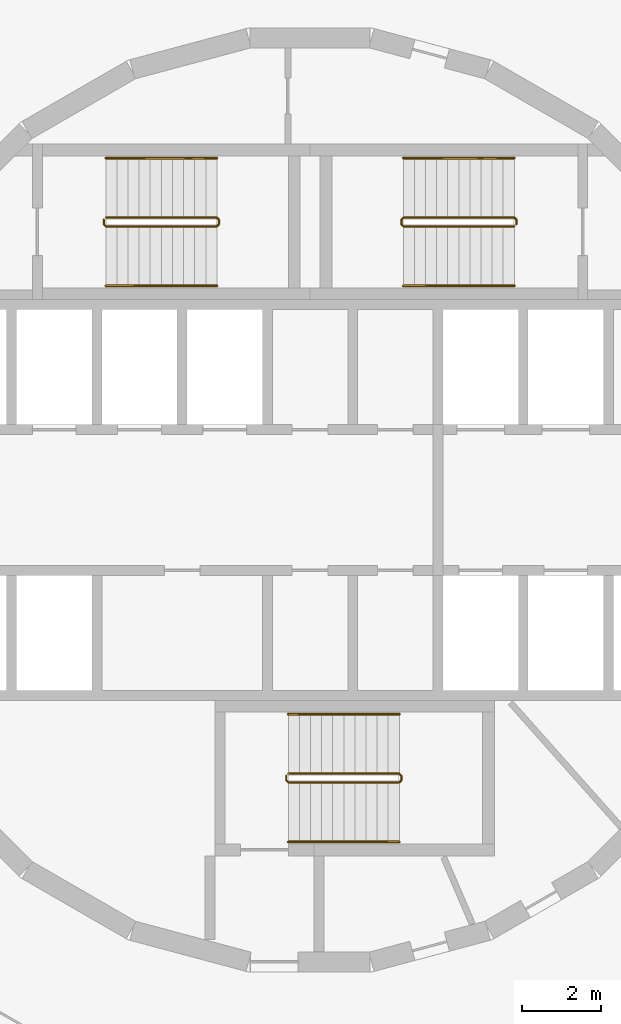
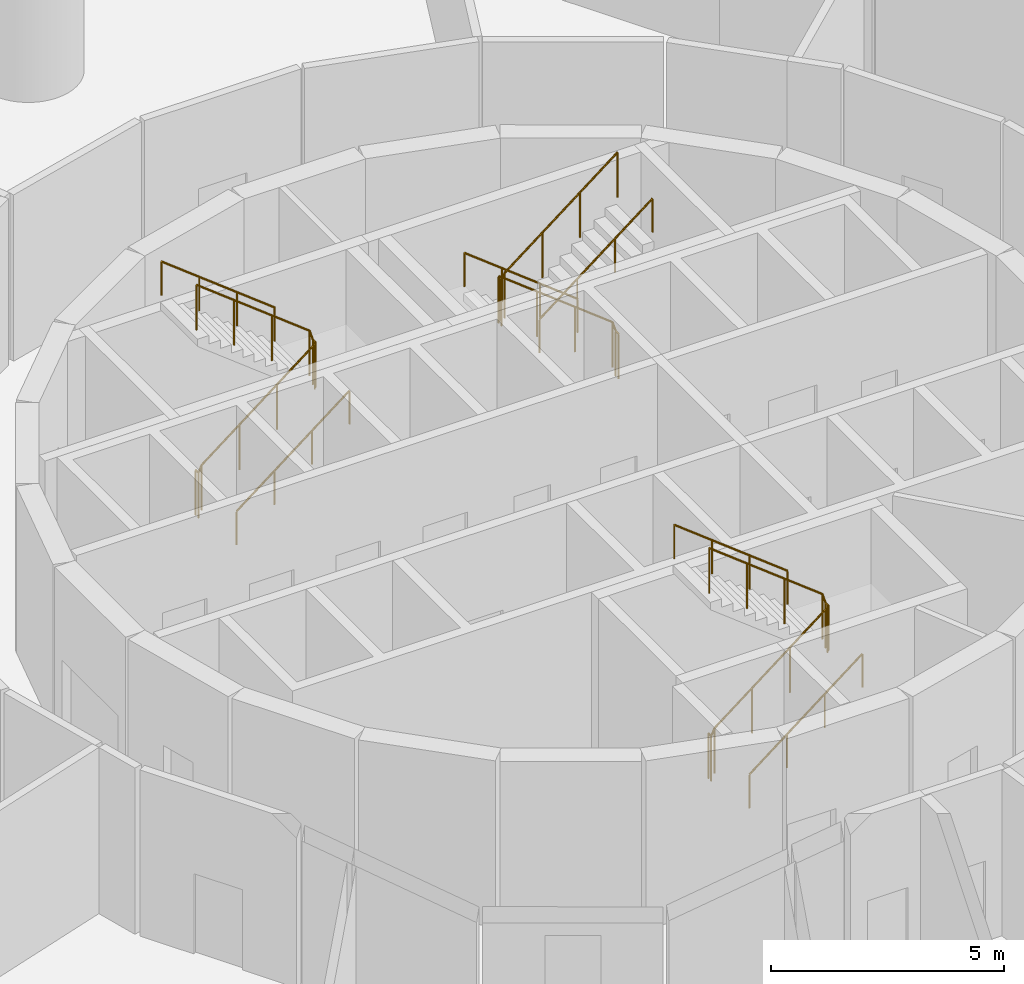
# One storey, part 17 of 17: 9 railings.
"""IFC4 building model written with IfcOpenShell, lengths in metres."""

from ifc_helpers import new_model, si_unit, direction, frame, origin, origin_2d, place, context, subcontext, project, spatial, circle, extrude, material, type_object, element, save


model = new_model("IFC4")

# Units and contexts
model_context = context("Model", 3, precision=1e-05, world=origin(), true_north=direction((0.0, 1.0)))
body_context = subcontext(model_context, "Body", "Model", "MODEL_VIEW")
ifc_project = project(units=[si_unit("LENGTHUNIT", "METRE"), si_unit("AREAUNIT", "SQUARE_METRE"), si_unit("VOLUMEUNIT", "CUBIC_METRE"), si_unit("PLANEANGLEUNIT", "RADIAN"), si_unit("MASSUNIT", "GRAM", prefix="KILO")], contexts=[model_context])

# Site, building, storey
site_placement = place(None, origin())
site = spatial("IfcSite", under=ifc_project, at=site_placement, CompositionType="ELEMENT")
building_placement = place(site_placement, origin())
building = spatial("IfcBuilding", under=site, at=building_placement, Name="Spindle Arch Residences", CompositionType="ELEMENT")
storey_placement = place(building_placement, frame((0.0, 0.0, 28.199951171875)))
storey = spatial("IfcBuildingStorey", under=building, at=storey_placement, Name="L05", CompositionType="ELEMENT", Elevation=28.199951171875)

# Railings
ifc_material_1 = material(Name="Steel, painted", Category="steel")
railing_type_1 = type_object("IfcRailingType", Name="Stair guard 1100", PredefinedType="GUARDRAIL", material=ifc_material_1)
railing_1_placement = place(storey_placement, frame((5.14990234375, 6.89990234375, 4.800048828125)))
element("IfcRailing", 1, at=railing_1_placement, inside=storey, type_object=railing_type_1, Name="L05 ST1 stair guard 1", PredefinedType="GUARDRAIL", context=body_context, shape_type="SweptSolid", body=[
    extrude(circle(Radius=0.02392578125, at=origin_2d()), frame((0.0, 0.0, 1.17578125), z_axis=(-0.788770406814, 0.0, -0.614687925157), x_axis=(0.0, -1.0, 0.0)), (0.0, 0.0, 1.0), 3.549560546875),
    extrude(circle(Radius=0.02392578125, at=origin_2d()), frame((-2.7998046875, 0.0, -1.005859375), z_axis=(-0.218344848091, 0.218344848091, -0.951131460222), x_axis=(-0.707106781187, -0.707106781187, 0.0)), (0.0, 0.0, 1.0), 0.229248046875),
    extrude(circle(Radius=0.02392578125, at=origin_2d()), frame((-2.849853515625, 0.050048828125, -1.22412109375), z_axis=(0.0, 1.0, 0.0), x_axis=(-1.0, 0.0, 0.0)), (0.0, 0.0, 1.0), 0.1201171875),
    extrude(circle(Radius=0.02392578125, at=origin_2d()), frame((-2.849853515625, 0.170166015625, -1.22412109375), z_axis=(0.707106781187, 0.707106781187, 0.0), x_axis=(-0.707106781187, 0.707106781187, 0.0)), (0.0, 0.0, 1.0), 0.07080078125),
    extrude(circle(Radius=0.02392578125, at=origin_2d()), frame((-2.7998046875, 0.22021484375, -1.22412109375), z_axis=(0.788770406814, 0.0, -0.614687925157), x_axis=(0.0, 1.0, 0.0)), (0.0, 0.0, 1.0), 3.549560546875),
    extrude(circle(Radius=0.02392578125, at=origin_2d()), frame((0.0, 0.22021484375, -3.40576171875), z_axis=(0.218123866557, -0.218123866557, -0.951232861962), x_axis=(0.707106781187, 0.707106781187, 0.0)), (0.0, 0.0, 1.0), 0.2294921875),
    extrude(circle(Radius=0.02392578125, at=origin_2d()), frame((0.050048828125, 0.170166015625, -3.6240234375), z_axis=(0.0, -1.0, 0.0), x_axis=(1.0, 0.0, 0.0)), (0.0, 0.0, 1.0), 0.1201171875),
    extrude(circle(Radius=0.02099609375, at=origin_2d()), origin(), (0.0, 0.0, 1.0), 1.15185546875),
    extrude(circle(Radius=0.02099609375, at=origin_2d()), frame((-0.933349609375, 0.0, -0.727294921875)), (0.0, 0.0, 1.0), 1.15185546875),
    extrude(circle(Radius=0.02099609375, at=origin_2d()), frame((-1.866455078125, 0.0, -1.45458984375)), (0.0, 0.0, 1.0), 1.15185546875),
    extrude(circle(Radius=0.02099609375, at=origin_2d()), frame((-2.7998046875, 0.0, -2.181884765625)), (0.0, 0.0, 1.0), 1.15185546875),
    extrude(circle(Radius=0.02099609375, at=origin_2d()), frame((-2.849853515625, 0.050048828125, -2.39990234375)), (0.0, 0.0, 1.0), 1.15185546875),
    extrude(circle(Radius=0.02099609375, at=origin_2d()), frame((-2.849853515625, 0.170166015625, -2.39990234375)), (0.0, 0.0, 1.0), 1.15185546875),
    extrude(circle(Radius=0.02099609375, at=origin_2d()), frame((-2.7998046875, 0.22021484375, -2.39990234375)), (0.0, 0.0, 1.0), 1.15185546875),
    extrude(circle(Radius=0.02099609375, at=origin_2d()), frame((-1.866455078125, 0.22021484375, -3.127197265625)), (0.0, 0.0, 1.0), 1.15185546875),
    extrude(circle(Radius=0.02099609375, at=origin_2d()), frame((-0.933349609375, 0.22021484375, -3.8544921875)), (0.0, 0.0, 1.0), 1.15185546875),
    extrude(circle(Radius=0.02099609375, at=origin_2d()), frame((0.0, 0.22021484375, -4.581787109375)), (0.0, 0.0, 1.0), 1.15185546875),
    extrude(circle(Radius=0.02099609375, at=origin_2d()), frame((0.050048828125, 0.170166015625, -4.800048828125)), (0.0, 0.0, 1.0), 1.15185546875),
    extrude(circle(Radius=0.02099609375, at=origin_2d()), frame((0.050048828125, 0.050048828125, -4.800048828125)), (0.0, 0.0, 1.0), 1.15185546875),
])
railing_2_placement = place(storey_placement, frame((-5.14990234375, 7.1201171875, 4.800048828125)))
element("IfcRailing", 2, at=railing_2_placement, inside=storey, type_object=railing_type_1, Name="L05 ST2 stair guard 1", PredefinedType="GUARDRAIL", context=body_context, shape_type="SweptSolid", body=[
    extrude(circle(Radius=0.02392578125, at=origin_2d()), frame((0.0, 0.0, 1.17578125), z_axis=(0.788770406814, 0.0, -0.614687925157), x_axis=(0.0, 1.0, 0.0)), (0.0, 0.0, 1.0), 3.549560546875),
    extrude(circle(Radius=0.02392578125, at=origin_2d()), frame((2.7998046875, 0.0, -1.005859375), z_axis=(0.218344848091, -0.218344848091, -0.951131460222), x_axis=(0.707106781187, 0.707106781187, 0.0)), (0.0, 0.0, 1.0), 0.229248046875),
    extrude(circle(Radius=0.02392578125, at=origin_2d()), frame((2.849853515625, -0.050048828125, -1.22412109375), z_axis=(0.0, -1.0, 0.0), x_axis=(1.0, 0.0, 0.0)), (0.0, 0.0, 1.0), 0.1201171875),
    extrude(circle(Radius=0.02392578125, at=origin_2d()), frame((2.849853515625, -0.170166015625, -1.22412109375), z_axis=(-0.707106781187, -0.707106781187, 0.0), x_axis=(0.707106781187, -0.707106781187, 0.0)), (0.0, 0.0, 1.0), 0.07080078125),
    extrude(circle(Radius=0.02392578125, at=origin_2d()), frame((2.7998046875, -0.22021484375, -1.22412109375), z_axis=(-0.788770406814, 0.0, -0.614687925157), x_axis=(0.0, -1.0, 0.0)), (0.0, 0.0, 1.0), 3.549560546875),
    extrude(circle(Radius=0.02392578125, at=origin_2d()), frame((0.0, -0.22021484375, -3.40576171875), z_axis=(-0.218123866557, 0.218123866557, -0.951232861962), x_axis=(-0.707106781187, -0.707106781187, 0.0)), (0.0, 0.0, 1.0), 0.2294921875),
    extrude(circle(Radius=0.02392578125, at=origin_2d()), frame((-0.050048828125, -0.170166015625, -3.6240234375), z_axis=(0.0, 1.0, 0.0), x_axis=(-1.0, 0.0, 0.0)), (0.0, 0.0, 1.0), 0.1201171875),
    extrude(circle(Radius=0.02099609375, at=origin_2d()), origin(), (0.0, 0.0, 1.0), 1.15185546875),
    extrude(circle(Radius=0.02099609375, at=origin_2d()), frame((0.933349609375, 0.0, -0.727294921875)), (0.0, 0.0, 1.0), 1.15185546875),
    extrude(circle(Radius=0.02099609375, at=origin_2d()), frame((1.866455078125, 0.0, -1.45458984375)), (0.0, 0.0, 1.0), 1.15185546875),
    extrude(circle(Radius=0.02099609375, at=origin_2d()), frame((2.7998046875, 0.0, -2.181884765625)), (0.0, 0.0, 1.0), 1.15185546875),
    extrude(circle(Radius=0.02099609375, at=origin_2d()), frame((2.849853515625, -0.050048828125, -2.39990234375)), (0.0, 0.0, 1.0), 1.15185546875),
    extrude(circle(Radius=0.02099609375, at=origin_2d()), frame((2.849853515625, -0.170166015625, -2.39990234375)), (0.0, 0.0, 1.0), 1.15185546875),
    extrude(circle(Radius=0.02099609375, at=origin_2d()), frame((2.7998046875, -0.22021484375, -2.39990234375)), (0.0, 0.0, 1.0), 1.15185546875),
    extrude(circle(Radius=0.02099609375, at=origin_2d()), frame((1.866455078125, -0.22021484375, -3.127197265625)), (0.0, 0.0, 1.0), 1.15185546875),
    extrude(circle(Radius=0.02099609375, at=origin_2d()), frame((0.933349609375, -0.22021484375, -3.8544921875)), (0.0, 0.0, 1.0), 1.15185546875),
    extrude(circle(Radius=0.02099609375, at=origin_2d()), frame((0.0, -0.22021484375, -4.581787109375)), (0.0, 0.0, 1.0), 1.15185546875),
    extrude(circle(Radius=0.02099609375, at=origin_2d()), frame((-0.050048828125, -0.170166015625, -4.800048828125)), (0.0, 0.0, 1.0), 1.15185546875),
    extrude(circle(Radius=0.02099609375, at=origin_2d()), frame((-0.050048828125, -0.050048828125, -4.800048828125)), (0.0, 0.0, 1.0), 1.15185546875),
])
railing_3_placement = place(storey_placement, frame((-0.550048828125, -6.89990234375, 4.800048828125)))
element("IfcRailing", 3, at=railing_3_placement, inside=storey, type_object=railing_type_1, Name="L05 ST3 stair guard 1", PredefinedType="GUARDRAIL", context=body_context, shape_type="SweptSolid", body=[
    extrude(circle(Radius=0.02392578125, at=origin_2d()), frame((0.0, 0.0, 1.17578125), z_axis=(0.788796392666, 0.0, -0.614654578538), x_axis=(0.0, 1.0, 0.0)), (0.0, 0.0, 1.0), 3.5498046875),
    extrude(circle(Radius=0.02392578125, at=origin_2d()), frame((2.800048828125, 0.0, -1.005859375), z_axis=(0.218344848091, -0.218344848091, -0.951131460222), x_axis=(0.707106781187, 0.707106781187, 0.0)), (0.0, 0.0, 1.0), 0.229248046875),
    extrude(circle(Radius=0.02392578125, at=origin_2d()), frame((2.85009765625, -0.050048828125, -1.22412109375), z_axis=(0.0, -1.0, 0.0), x_axis=(1.0, 0.0, 0.0)), (0.0, 0.0, 1.0), 0.1201171875),
    extrude(circle(Radius=0.02392578125, at=origin_2d()), frame((2.85009765625, -0.170166015625, -1.22412109375), z_axis=(-0.707106781187, -0.707106781187, 0.0), x_axis=(0.707106781187, -0.707106781187, 0.0)), (0.0, 0.0, 1.0), 0.07080078125),
    extrude(circle(Radius=0.02392578125, at=origin_2d()), frame((2.800048828125, -0.22021484375, -1.22412109375), z_axis=(-0.788796392666, 0.0, -0.614654578538), x_axis=(0.0, -1.0, 0.0)), (0.0, 0.0, 1.0), 3.5498046875),
    extrude(circle(Radius=0.02392578125, at=origin_2d()), frame((0.0, -0.22021484375, -3.40576171875), z_axis=(-0.218123866557, 0.218123866557, -0.951232861962), x_axis=(-0.707106781187, -0.707106781187, 0.0)), (0.0, 0.0, 1.0), 0.2294921875),
    extrude(circle(Radius=0.02392578125, at=origin_2d()), frame((-0.050048828125, -0.170166015625, -3.6240234375), z_axis=(0.0, 1.0, 0.0), x_axis=(-1.0, 0.0, 0.0)), (0.0, 0.0, 1.0), 0.1201171875),
    extrude(circle(Radius=0.02099609375, at=origin_2d()), origin(), (0.0, 0.0, 1.0), 1.15185546875),
    extrude(circle(Radius=0.02099609375, at=origin_2d()), frame((0.933349609375, 0.0, -0.727294921875)), (0.0, 0.0, 1.0), 1.15185546875),
    extrude(circle(Radius=0.02099609375, at=origin_2d()), frame((1.86669921875, 0.0, -1.45458984375)), (0.0, 0.0, 1.0), 1.15185546875),
    extrude(circle(Radius=0.02099609375, at=origin_2d()), frame((2.800048828125, 0.0, -2.181884765625)), (0.0, 0.0, 1.0), 1.15185546875),
    extrude(circle(Radius=0.02099609375, at=origin_2d()), frame((2.85009765625, -0.050048828125, -2.39990234375)), (0.0, 0.0, 1.0), 1.15185546875),
    extrude(circle(Radius=0.02099609375, at=origin_2d()), frame((2.85009765625, -0.170166015625, -2.39990234375)), (0.0, 0.0, 1.0), 1.15185546875),
    extrude(circle(Radius=0.02099609375, at=origin_2d()), frame((2.800048828125, -0.22021484375, -2.39990234375)), (0.0, 0.0, 1.0), 1.15185546875),
    extrude(circle(Radius=0.02099609375, at=origin_2d()), frame((1.86669921875, -0.22021484375, -3.127197265625)), (0.0, 0.0, 1.0), 1.15185546875),
    extrude(circle(Radius=0.02099609375, at=origin_2d()), frame((0.933349609375, -0.22021484375, -3.8544921875)), (0.0, 0.0, 1.0), 1.15185546875),
    extrude(circle(Radius=0.02099609375, at=origin_2d()), frame((0.0, -0.22021484375, -4.581787109375)), (0.0, 0.0, 1.0), 1.15185546875),
    extrude(circle(Radius=0.02099609375, at=origin_2d()), frame((-0.050048828125, -0.170166015625, -4.800048828125)), (0.0, 0.0, 1.0), 1.15185546875),
    extrude(circle(Radius=0.02099609375, at=origin_2d()), frame((-0.050048828125, -0.050048828125, -4.800048828125)), (0.0, 0.0, 1.0), 1.15185546875),
])
ifc_material_2 = material(Name="Steel, painted", Category="steel")
railing_type_2 = type_object("IfcRailingType", Name="Stair handrail 900", PredefinedType="HANDRAIL", material=ifc_material_2)
railing_4_placement = place(storey_placement, frame((5.14990234375, 8.6201171875, 0.21826171875)))
element("IfcRailing", 4, at=railing_4_placement, inside=storey, type_object=railing_type_2, Name="L05 ST1 stair handrail 1", PredefinedType="HANDRAIL", context=body_context, shape_type="SweptSolid", body=[
    extrude(circle(Radius=0.02392578125, at=origin_2d()), frame((0.0, 0.0, 0.8759765625), z_axis=(-0.788770406814, 0.0, 0.614687925157), x_axis=(0.0, -1.0, 0.0)), (0.0, 0.0, 1.0), 3.549560546875),
    extrude(circle(Radius=0.02099609375, at=origin_2d()), origin(), (0.0, 0.0, 1.0), 0.851806640625),
    extrude(circle(Radius=0.02099609375, at=origin_2d()), frame((-0.933349609375, 0.0, 0.727294921875)), (0.0, 0.0, 1.0), 0.851806640625),
    extrude(circle(Radius=0.02099609375, at=origin_2d()), frame((-1.866455078125, 0.0, 1.45458984375)), (0.0, 0.0, 1.0), 0.851806640625),
    extrude(circle(Radius=0.02099609375, at=origin_2d()), frame((-2.7998046875, 0.0, 2.181884765625)), (0.0, 0.0, 1.0), 0.851806640625),
])
for number, where, name in (
    (5, (2.35009765625, 5.39990234375, 2.6181640625), "L05 ST1 stair handrail 2"),
    (6, (-5.14990234375, 5.39990234375, 0.21826171875), "L05 ST2 stair handrail 1"),
):
    element("IfcRailing", number, at=place(storey_placement, frame(where)), inside=storey, type_object=railing_type_2, Name=name, PredefinedType="HANDRAIL", context=body_context, shape_type="SweptSolid", body=[
        extrude(circle(Radius=0.02392578125, at=origin_2d()), frame((0.0, 0.0, 0.8759765625), z_axis=(0.788770406814, 0.0, 0.614687925157), x_axis=(0.0, 1.0, 0.0)), (0.0, 0.0, 1.0), 3.549560546875),
        extrude(circle(Radius=0.02099609375, at=origin_2d()), origin(), (0.0, 0.0, 1.0), 0.851806640625),
        extrude(circle(Radius=0.02099609375, at=origin_2d()), frame((0.933349609375, 0.0, 0.727294921875)), (0.0, 0.0, 1.0), 0.851806640625),
        extrude(circle(Radius=0.02099609375, at=origin_2d()), frame((1.866455078125, 0.0, 1.45458984375)), (0.0, 0.0, 1.0), 0.851806640625),
        extrude(circle(Radius=0.02099609375, at=origin_2d()), frame((2.7998046875, 0.0, 2.181884765625)), (0.0, 0.0, 1.0), 0.851806640625),
    ])
railing_5_placement = place(storey_placement, frame((-2.35009765625, 8.6201171875, 2.6181640625)))
element("IfcRailing", 7, at=railing_5_placement, inside=storey, type_object=railing_type_2, Name="L05 ST2 stair handrail 2", PredefinedType="HANDRAIL", context=body_context, shape_type="SweptSolid", body=[
    extrude(circle(Radius=0.02392578125, at=origin_2d()), frame((0.0, 0.0, 0.8759765625), z_axis=(-0.788770406814, 0.0, 0.614687925157), x_axis=(0.0, -1.0, 0.0)), (0.0, 0.0, 1.0), 3.549560546875),
    extrude(circle(Radius=0.02099609375, at=origin_2d()), origin(), (0.0, 0.0, 1.0), 0.851806640625),
    extrude(circle(Radius=0.02099609375, at=origin_2d()), frame((-0.933349609375, 0.0, 0.727294921875)), (0.0, 0.0, 1.0), 0.851806640625),
    extrude(circle(Radius=0.02099609375, at=origin_2d()), frame((-1.866455078125, 0.0, 1.45458984375)), (0.0, 0.0, 1.0), 0.851806640625),
    extrude(circle(Radius=0.02099609375, at=origin_2d()), frame((-2.7998046875, 0.0, 2.181884765625)), (0.0, 0.0, 1.0), 0.851806640625),
])
railing_6_placement = place(storey_placement, frame((-0.550048828125, -8.6201171875, 0.21826171875)))
element("IfcRailing", 8, at=railing_6_placement, inside=storey, type_object=railing_type_2, Name="L05 ST3 stair handrail 1", PredefinedType="HANDRAIL", context=body_context, shape_type="SweptSolid", body=[
    extrude(circle(Radius=0.02392578125, at=origin_2d()), frame((0.0, 0.0, 0.8759765625), z_axis=(0.788796392666, 0.0, 0.614654578538), x_axis=(0.0, 1.0, 0.0)), (0.0, 0.0, 1.0), 3.5498046875),
    extrude(circle(Radius=0.02099609375, at=origin_2d()), origin(), (0.0, 0.0, 1.0), 0.851806640625),
    extrude(circle(Radius=0.02099609375, at=origin_2d()), frame((0.933349609375, 0.0, 0.727294921875)), (0.0, 0.0, 1.0), 0.851806640625),
    extrude(circle(Radius=0.02099609375, at=origin_2d()), frame((1.86669921875, 0.0, 1.45458984375)), (0.0, 0.0, 1.0), 0.851806640625),
    extrude(circle(Radius=0.02099609375, at=origin_2d()), frame((2.800048828125, 0.0, 2.181884765625)), (0.0, 0.0, 1.0), 0.851806640625),
])
railing_7_placement = place(storey_placement, frame((2.25, -5.39990234375, 2.6181640625)))
element("IfcRailing", 9, at=railing_7_placement, inside=storey, type_object=railing_type_2, Name="L05 ST3 stair handrail 2", PredefinedType="HANDRAIL", context=body_context, shape_type="SweptSolid", body=[
    extrude(circle(Radius=0.02392578125, at=origin_2d()), frame((0.0, 0.0, 0.8759765625), z_axis=(-0.788796392666, 0.0, 0.614654578538), x_axis=(0.0, -1.0, 0.0)), (0.0, 0.0, 1.0), 3.5498046875),
    extrude(circle(Radius=0.02099609375, at=origin_2d()), origin(), (0.0, 0.0, 1.0), 0.851806640625),
    extrude(circle(Radius=0.02099609375, at=origin_2d()), frame((-0.933349609375, 0.0, 0.727294921875)), (0.0, 0.0, 1.0), 0.851806640625),
    extrude(circle(Radius=0.02099609375, at=origin_2d()), frame((-1.86669921875, 0.0, 1.45458984375)), (0.0, 0.0, 1.0), 0.851806640625),
    extrude(circle(Radius=0.02099609375, at=origin_2d()), frame((-2.800048828125, 0.0, 2.181884765625)), (0.0, 0.0, 1.0), 0.851806640625),
])

save(model, "model.ifc")
